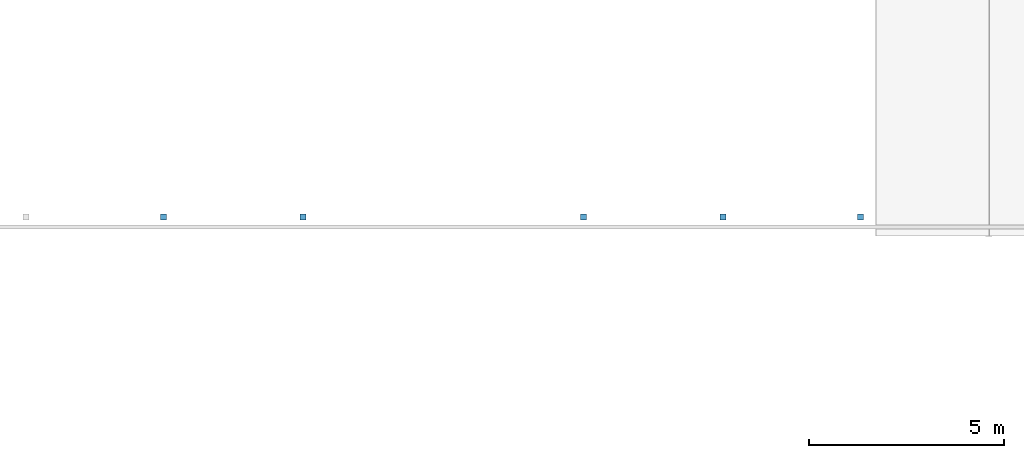
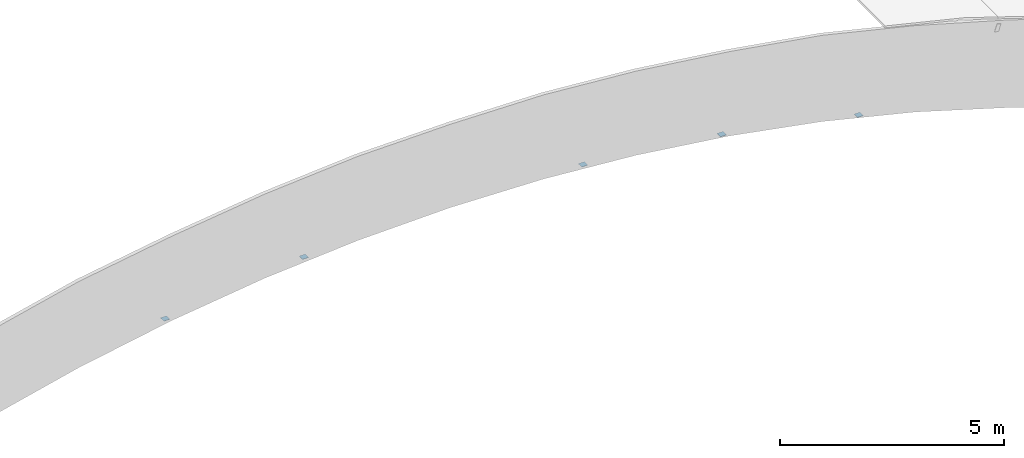
# One storey, part 10 of 17: 5 discrete accessories.
"""IFC4 building model written with IfcOpenShell, lengths in metres."""

from ifc_helpers import new_model, si_unit, direction, frame, origin, origin_2d, place, context, subcontext, project, spatial, rectangle, extrude, material, material_profile, profile_set, type_object, element, save


model = new_model("IFC4")

# Units and contexts
model_context = context("Model", 3, precision=1e-05, world=origin(), true_north=direction((0.0, 1.0)))
body_context = subcontext(model_context, "Body", "Model", "MODEL_VIEW")
ifc_project = project(units=[si_unit("LENGTHUNIT", "METRE"), si_unit("AREAUNIT", "SQUARE_METRE"), si_unit("VOLUMEUNIT", "CUBIC_METRE"), si_unit("PLANEANGLEUNIT", "RADIAN"), si_unit("MASSUNIT", "GRAM", prefix="KILO")], contexts=[model_context])

# Site, building, storey
site_placement = place(None, origin())
site = spatial("IfcSite", under=ifc_project, at=site_placement, CompositionType="ELEMENT")
building_placement = place(site_placement, origin())
building = spatial("IfcBuilding", under=site, at=building_placement, Name="Verrick Yard Athletic Hall", CompositionType="ELEMENT")
storey_placement = place(building_placement, frame((0.0, 0.0, 18.199951171875)))
storey = spatial("IfcBuildingStorey", under=building, at=storey_placement, Name="Roof", CompositionType="ELEMENT", Elevation=18.199951171875)

# Discrete accessories
ifc_material = material(Name="Structural steel 350W (CSA G40.21)", Category="steel")
ifc_material_profile = material_profile(ifc_material, rectangle(XDim=0.15234375, YDim=0.15234375, at=origin_2d()), Name="STR End cap plate 152x152x9.5")
ifc_profile_set = profile_set([ifc_material_profile], Name="Structural steel 350W (CSA G40.21)")
discrete_accessory_type = type_object("IfcDiscreteAccessoryType", Name="STR End cap plate 152x152x9.5", PredefinedType="BRACKET", material=ifc_profile_set)
for number, where, z_axis, x_axis, name in (
    (1, (141.996826171875, 72.49462890625, 2.279052734375), (0.0, 0.0, 1.0), (1.0, 0.0, 0.0), "End cap HB-GP-AS-6 B"),
    (2, (156.321533203125, 72.49462890625, 1.136962890625), (0.0, 0.0, 1.0), (1.0, 0.0, 0.0), "End cap HB-GP-AS-10 B"),
    (3, (152.784423828125, 72.49462890625, 1.84814453125), (0.0, 0.0, 1.0), (1.0, 0.0, 0.0), "End cap HB-GP-AS-9 B"),
    (4, (149.203369140625, 72.49462890625, 2.279052734375), (0.0, 0.0, 1.0), (1.0, 0.0, 0.0), "End cap HB-GP-AS-8 B"),
    (5, (138.41552734375, 72.49462890625, 1.84814453125), (0.0, 0.0, 1.0), (1.0, 0.0, 0.0), "End cap HB-GP-AS-5 B"),
):
    element("IfcDiscreteAccessory", number, at=place(storey_placement, frame(where, z_axis=z_axis, x_axis=x_axis)), inside=storey, type_object=discrete_accessory_type, Name=name, PredefinedType="BRACKET", context=body_context, shape_type="SweptSolid", body=[
        extrude(rectangle(XDim=0.15234375, YDim=0.15234375, at=origin_2d()), origin(), (0.0, 0.0, 1.0), 0.010009765625),
    ])

save(model, "model.ifc")
